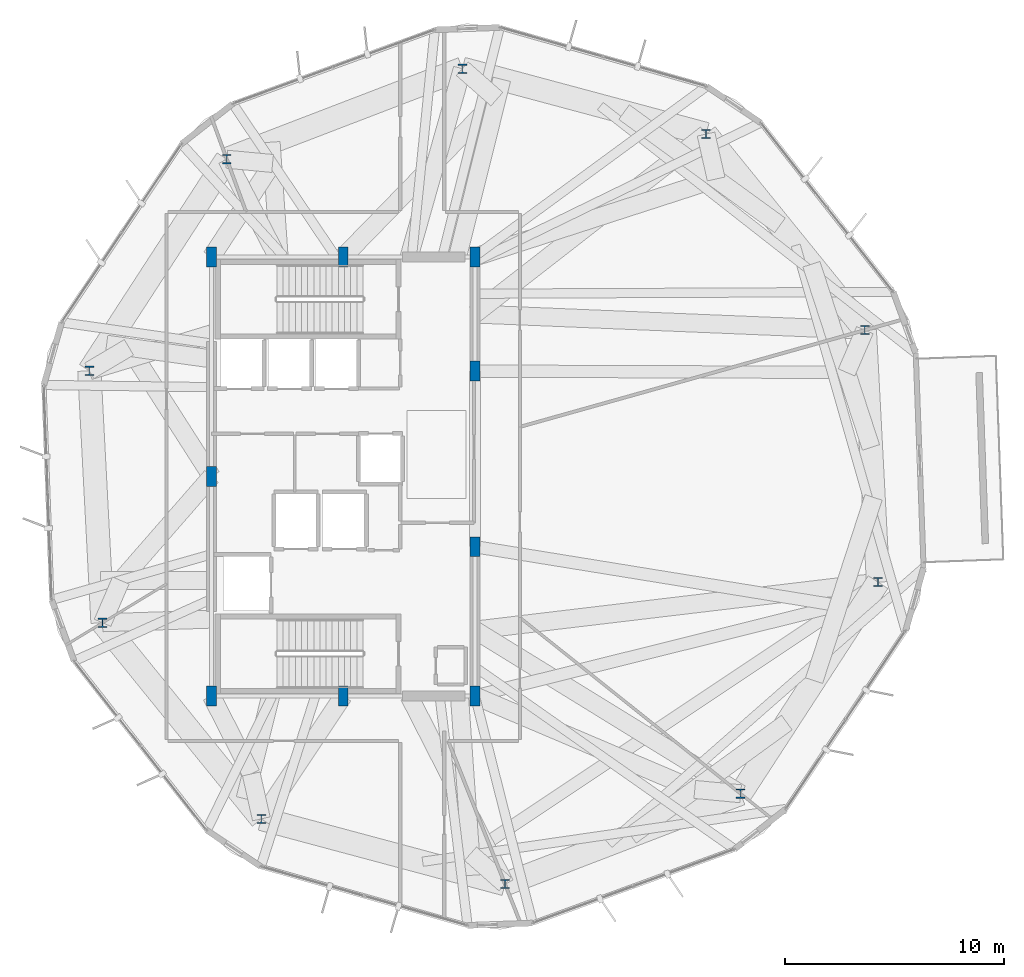
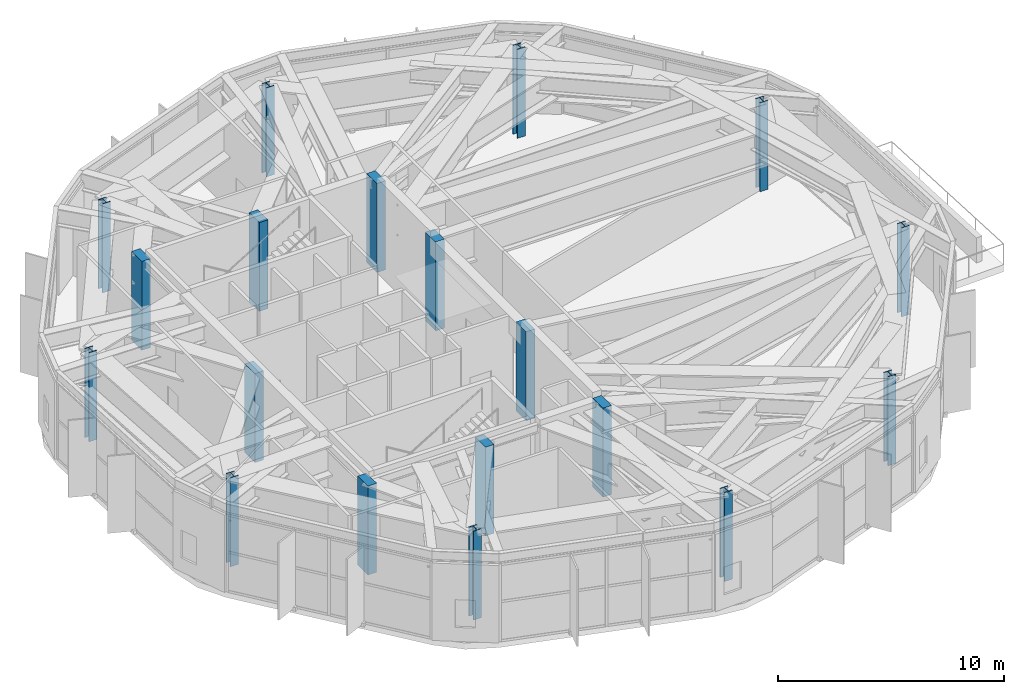
# One storey, part 1 of 30: 19 columns.
"""IFC4 building model written with IfcOpenShell, lengths in metres."""

from ifc_helpers import new_model, si_unit, direction, frame, origin, origin_2d, place, context, subcontext, project, spatial, rectangle, i_section, extrude, material, material_profile, profile_set, type_object, element, save


model = new_model("IFC4")

# Units and contexts
model_context = context("Model", 3, precision=1e-05, world=origin(), true_north=direction((0.0, 1.0)))
body_context = subcontext(model_context, "Body", "Model", "MODEL_VIEW")
ifc_project = project(units=[si_unit("LENGTHUNIT", "METRE"), si_unit("AREAUNIT", "SQUARE_METRE"), si_unit("VOLUMEUNIT", "CUBIC_METRE"), si_unit("PLANEANGLEUNIT", "RADIAN"), si_unit("MASSUNIT", "GRAM", prefix="KILO")], contexts=[model_context])

# Site, building, storey
site_placement = place(None, origin())
site = spatial("IfcSite", under=ifc_project, at=site_placement, CompositionType="ELEMENT")
building_placement = place(site_placement, origin())
building = spatial("IfcBuilding", under=site, at=building_placement, Name="Soratama Intermodal Tower", CompositionType="ELEMENT")
storey_placement = place(building_placement, frame((0.0, 0.0, 237.39990234375)))
storey = spatial("IfcBuildingStorey", under=building, at=storey_placement, Name="L60", CompositionType="ELEMENT", Elevation=237.39990234375)

# Columns
ifc_material_1 = material(Name="Structural steel ASTM A992 Grade 50", Category="steel")
ifc_material_profile_1 = material_profile(ifc_material_1, i_section(OverallWidth=0.406005859375, OverallDepth=0.416015625, WebThickness=0.02978515625, FlangeThickness=0.048095703125, FilletRadius=0.0380859375, at=origin_2d()), Name="W14X257")
ifc_profile_set_1 = profile_set([ifc_material_profile_1], Name="Structural steel ASTM A992 Grade 50")
column_type_1 = type_object("IfcColumnType", Name="COL-ZD-W14X257", PredefinedType="COLUMN", material=ifc_profile_set_1)
for number, where, z_axis, x_axis, name in (
    (1, (62.364501953125, 31.66552734375, 0.0), (0.0, 0.0, 1.0), (1.0, 0.0, 0.0), "L60 Tower Ring Column R01"),
    (2, (55.13037109375, 40.599365234375, 0.0), (0.0, 0.0, 1.0), (1.0, 0.0, 0.0), "L60 Tower Ring Column R02"),
    (3, (44.026611328125, 43.574462890625, 0.0), (0.0, 0.0, 1.0), (1.0, 0.0, 0.0), "L60 Tower Ring Column R03"),
    (4, (33.294677734375, 39.454833984375, 0.0), (0.0, 0.0, 1.0), (1.0, 0.0, 0.0), "L60 Tower Ring Column R04"),
    (5, (27.03369140625, 29.81396484375, 0.0), (0.0, 0.0, 1.0), (1.0, 0.0, 0.0), "L60 Tower Ring Column R05"),
    (6, (27.635498046875, 18.33447265625, 0.0), (0.0, 0.0, 1.0), (1.0, 0.0, 0.0), "L60 Tower Ring Column R06"),
    (7, (34.86962890625, 9.400634765625, 0.0), (0.0, 0.0, 1.0), (1.0, 0.0, 0.0), "L60 Tower Ring Column R07"),
    (8, (45.973388671875, 6.425537109375, 0.0), (0.0, 0.0, 1.0), (1.0, 0.0, 0.0), "L60 Tower Ring Column R08"),
    (9, (56.705322265625, 10.545166015625, 0.0), (0.0, 0.0, 1.0), (1.0, 0.0, 0.0), "L60 Tower Ring Column R09"),
    (10, (62.96630859375, 20.18603515625, 0.0), (0.0, 0.0, 1.0), (1.0, 0.0, 0.0), "L60 Tower Ring Column R10"),
):
    element("IfcColumn", number, at=place(storey_placement, frame(where, z_axis=z_axis, x_axis=x_axis)), inside=storey, type_object=column_type_1, Name=name, PredefinedType="COLUMN", context=body_context, shape_type="SweptSolid", body=[
        extrude(i_section(OverallWidth=0.406005859375, OverallDepth=0.416015625, WebThickness=0.02978515625, FlangeThickness=0.048095703125, FilletRadius=0.0380859375, at=origin_2d()), origin(), (0.0, 0.0, 1.0), 4.800048828125),
    ])
ifc_material_2 = material(Name="Concrete f'c 56 MPa", Category="concrete")
ifc_material_profile_2 = material_profile(ifc_material_2, rectangle(XDim=0.449951171875, YDim=0.89990234375, at=origin_2d()), Name="RC450X900")
ifc_profile_set_2 = profile_set([ifc_material_profile_2], Name="Concrete f'c 56 MPa")
column_type_2 = type_object("IfcColumnType", Name="PIL-CORE-450X900", PredefinedType="PILASTER", material=ifc_profile_set_2)
for number, where, z_axis, x_axis, name in (
    (11, (32.60009765625, 15.0, 0.0), (0.0, 0.0, 1.0), (1.0, 0.0, 0.0), "L60 Core Pilaster 1"),
    (12, (32.60009765625, 25.0, 0.0), (0.0, 0.0, 1.0), (1.0, 0.0, 0.0), "L60 Core Pilaster 2"),
    (13, (32.60009765625, 35.0, 0.0), (0.0, 0.0, 1.0), (1.0, 0.0, 0.0), "L60 Core Pilaster 3"),
    (14, (38.60009765625, 15.0, 0.0), (0.0, 0.0, 1.0), (1.0, 0.0, 0.0), "L60 Core Pilaster 4"),
    (15, (38.60009765625, 35.0, 0.0), (0.0, 0.0, 1.0), (1.0, 0.0, 0.0), "L60 Core Pilaster 5"),
    (16, (44.60009765625, 15.0, 0.0), (0.0, 0.0, 1.0), (1.0, 0.0, 0.0), "L60 Core Pilaster 6"),
    (17, (44.60009765625, 21.800048828125, 0.0), (0.0, 0.0, 1.0), (1.0, 0.0, 0.0), "L60 Core Pilaster 7"),
    (18, (44.60009765625, 29.800048828125, 0.0), (0.0, 0.0, 1.0), (1.0, 0.0, 0.0), "L60 Core Pilaster 8"),
    (19, (44.60009765625, 35.0, 0.0), (0.0, 0.0, 1.0), (1.0, 0.0, 0.0), "L60 Core Pilaster 9"),
):
    element("IfcColumn", number, at=place(storey_placement, frame(where, z_axis=z_axis, x_axis=x_axis)), inside=storey, type_object=column_type_2, Name=name, PredefinedType="PILASTER", context=body_context, shape_type="SweptSolid", body=[
        extrude(rectangle(XDim=0.449951171875, YDim=0.89990234375, at=origin_2d()), origin(), (0.0, 0.0, 1.0), 4.800048828125),
    ])

save(model, "model.ifc")
